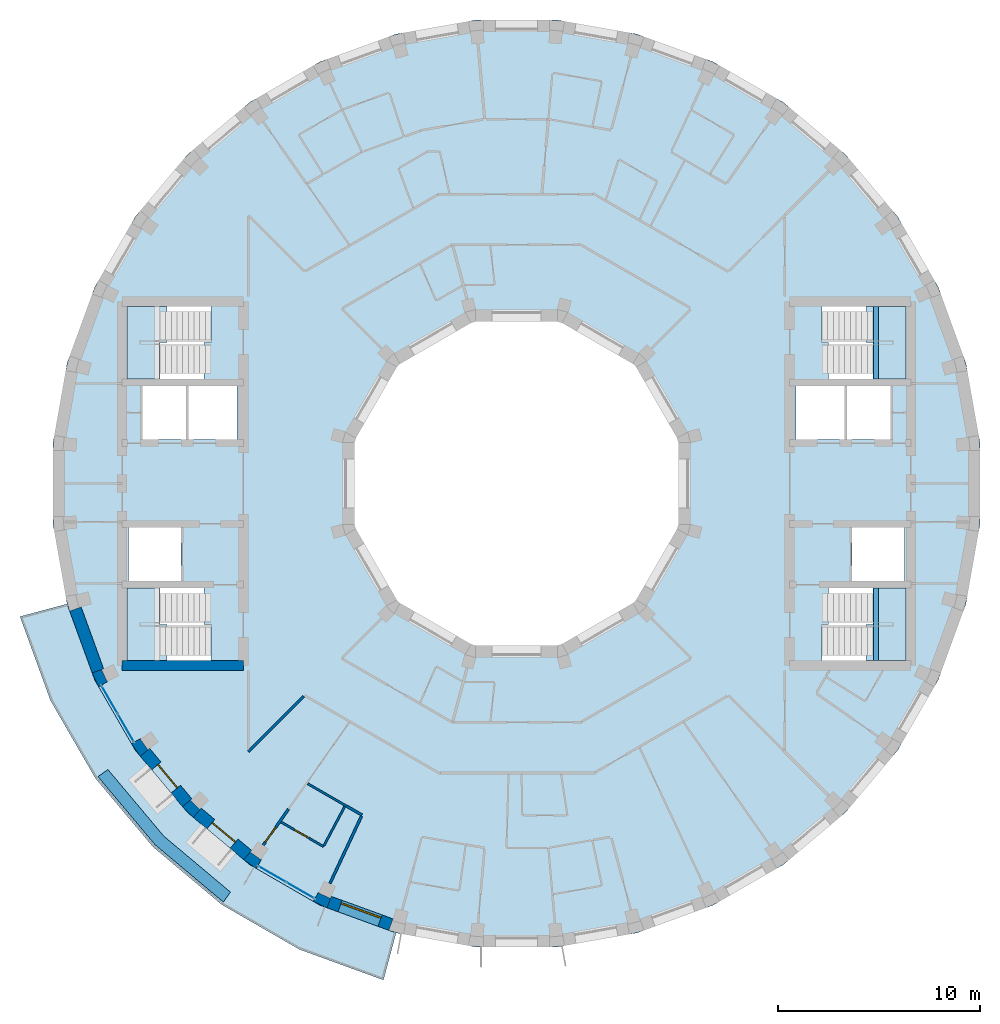
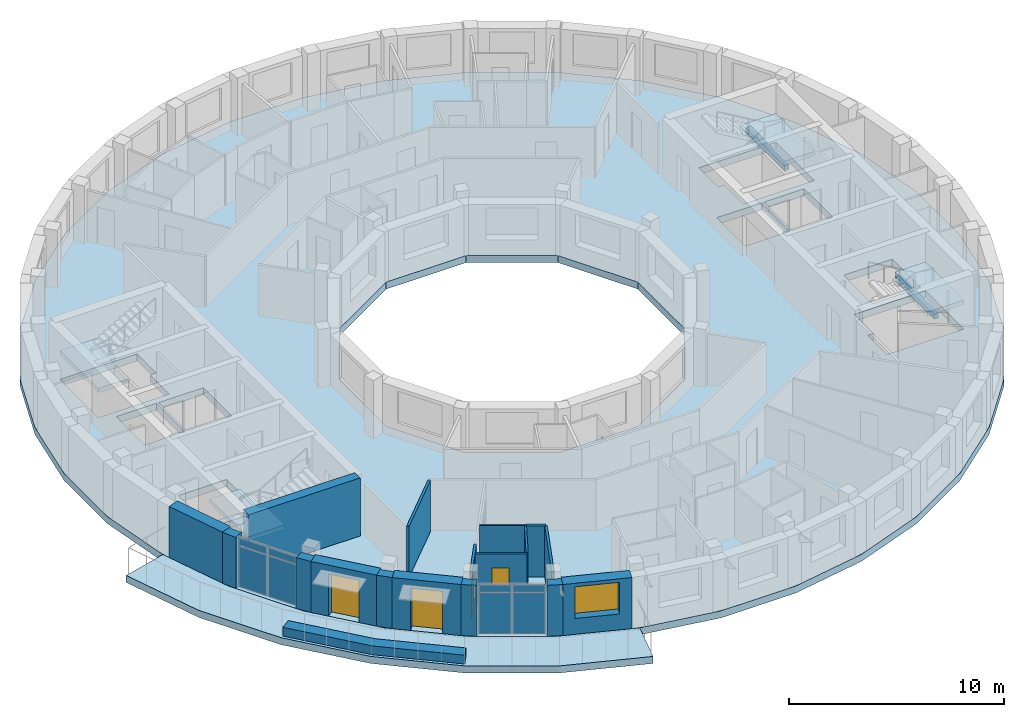
# One storey, part 3 of 12: 18 walls, 8 plates, 6 slabs, 4 doors, 2 beams, 1 window, 5 openings, 6 elements without a shape of their own.
"""IFC4 building model written with IfcOpenShell, lengths in metres."""

from ifc_helpers import new_model, si_unit, direction, frame, frame_2d, origin, origin_2d, place, context, subcontext, project, spatial, polyline, rectangle, outline, extrude, material, layer, layer_set, material_profile, profile_set, type_object, element, fill, aggregate, save


model = new_model("IFC4")

# Units and contexts
model_context = context("Model", 3, precision=1e-05, world=origin(), true_north=direction((0.0, 1.0)))
body_context = subcontext(model_context, "Body", "Model", "MODEL_VIEW")
ifc_project = project(units=[si_unit("LENGTHUNIT", "METRE"), si_unit("AREAUNIT", "SQUARE_METRE"), si_unit("VOLUMEUNIT", "CUBIC_METRE"), si_unit("PLANEANGLEUNIT", "RADIAN"), si_unit("MASSUNIT", "GRAM", prefix="KILO")], contexts=[model_context])

# Site, building, storey
site_placement = place(None, origin())
site = spatial("IfcSite", under=ifc_project, at=site_placement, CompositionType="ELEMENT")
building_placement = place(site_placement, origin())
building = spatial("IfcBuilding", under=site, at=building_placement, Name="Saqina Gate Tower", CompositionType="ELEMENT")
storey_placement = place(building_placement, frame((0.0, 0.0, 266.0)))
storey = spatial("IfcBuildingStorey", under=building, at=storey_placement, Name="L76", CompositionType="ELEMENT", Elevation=266.0)

# Beams
ifc_material_1 = material(Name="Concrete C40/50", Category="concrete")
ifc_material_profile = material_profile(ifc_material_1, rectangle(XDim=0.25, YDim=0.300048828125, at=origin_2d()), Name="STAIR LANDING BEAM")
ifc_profile_set = profile_set([ifc_material_profile], Name="Concrete C40/50")
beam_type = type_object("IfcBeamType", Name="STAIR LANDING BEAM", PredefinedType="BEAM", material=ifc_profile_set)
for number, where, z_axis, x_axis, name in (
    (1, (17.77001953125, 5.175048828125, 1.25), (0.0, 1.0, 0.0), (-1.0, 0.0, 0.0), "EXIT STAIR 1 LANDING BEAM"),
    (2, (17.77001953125, -8.75, 1.25), (0.0, 1.0, 0.0), (-1.0, 0.0, 0.0), "EXIT STAIR 2 LANDING BEAM"),
):
    element("IfcBeam", number, at=place(storey_placement, frame(where, z_axis=z_axis, x_axis=x_axis)), inside=storey, type_object=beam_type, Name=name, PredefinedType="BEAM", context=body_context, shape_type="SweptSolid", body=[
        extrude(rectangle(XDim=0.25, YDim=0.300048828125, at=origin_2d()), origin(), (0.0, 0.0, 1.0), 3.574951171875),
    ])

# Curtain wall, plates
ifc_material_2 = material(Name="Aluminium glazing", Category="aluminium")
ifc_layer_1 = layer(ifc_material_2, 0.159912109375)
ifc_layer_set_1 = layer_set([ifc_layer_1], Name="CWT-4")
curtain_wall_type = type_object("IfcCurtainWallType", Name="CWT-4", PredefinedType="NOTDEFINED", material=ifc_layer_set_1)
curtain_wall_1_placement = place(storey_placement, origin())
curtain_wall_1 = element("IfcCurtainWall", 3, at=curtain_wall_1_placement, inside=storey, type_object=curtain_wall_type, Name="Terrace lounge glazing facet 21", PredefinedType="NOTDEFINED")
ifc_material_3 = material(Name="Glass", Category="glass")
ifc_layer_2 = layer(ifc_material_3, 0.028076171875)
ifc_layer_set_2 = layer_set([ifc_layer_2], Name="CWT-4P")
plate_type = type_object("IfcPlateType", Name="CWT-4P", PredefinedType="CURTAIN_PANEL", material=ifc_layer_set_2)
plate_1_placement = place(storey_placement, frame((-20.11181640625, -10.690185546875, 0.06005859375), z_axis=(0.0, 0.0, 1.0), x_axis=(0.499982449212, -0.8660355365, 0.0)))
plate_1 = element("IfcPlate", 4, at=plate_1_placement, type_object=plate_type, Name="CW4-21 panel 1.1", PredefinedType="CURTAIN_PANEL", context=body_context, shape_type="SweptSolid", body=[
    extrude(rectangle(XDim=1.535888671875, YDim=0.028076171875, at=origin_2d()), origin(), (0.0, 0.0, 1.0), 2.31005859375),
])
plate_2_placement = place(storey_placement, frame((-20.11181640625, -10.690185546875, 2.43017578125), z_axis=(0.0, 0.0, 1.0), x_axis=(0.499982449212, -0.8660355365, 0.0)))
plate_2 = element("IfcPlate", 5, at=plate_2_placement, type_object=plate_type, Name="CW4-21 panel 1.2", PredefinedType="CURTAIN_PANEL", context=body_context, shape_type="SweptSolid", body=[
    extrude(rectangle(XDim=1.535888671875, YDim=0.028076171875, at=origin_2d()), origin(), (0.0, 0.0, 1.0), 0.409912109375),
])
plate_3_placement = place(storey_placement, frame((-19.31396484375, -12.072265625, 0.06005859375), z_axis=(0.0, 0.0, 1.0), x_axis=(0.499982449212, -0.8660355365, 0.0)))
plate_3 = element("IfcPlate", 6, at=plate_3_placement, type_object=plate_type, Name="CW4-21 panel 2.1", PredefinedType="CURTAIN_PANEL", context=body_context, shape_type="SweptSolid", body=[
    extrude(rectangle(XDim=1.535888671875, YDim=0.028076171875, at=origin_2d()), origin(), (0.0, 0.0, 1.0), 2.31005859375),
])
plate_4_placement = place(storey_placement, frame((-19.31396484375, -12.072265625, 2.43017578125), z_axis=(0.0, 0.0, 1.0), x_axis=(0.499982449212, -0.8660355365, 0.0)))
plate_4 = element("IfcPlate", 7, at=plate_4_placement, type_object=plate_type, Name="CW4-21 panel 2.2", PredefinedType="CURTAIN_PANEL", context=body_context, shape_type="SweptSolid", body=[
    extrude(rectangle(XDim=1.535888671875, YDim=0.028076171875, at=origin_2d()), origin(), (0.0, 0.0, 1.0), 0.409912109375),
])
aggregate(curtain_wall_1, [plate_1, plate_2, plate_3, plate_4])

curtain_wall_2_placement = place(storey_placement, origin())
curtain_wall_2 = element("IfcCurtainWall", 8, at=curtain_wall_2_placement, inside=storey, type_object=curtain_wall_type, Name="Terrace lounge glazing facet 24", PredefinedType="NOTDEFINED")
plate_5_placement = place(storey_placement, frame((-12.072265625, -19.31396484375, 0.06005859375), z_axis=(0.0, 0.0, 1.0), x_axis=(0.8660355365, -0.499982449212, 0.0)))
plate_5 = element("IfcPlate", 9, at=plate_5_placement, type_object=plate_type, Name="CW4-24 panel 1.1", PredefinedType="CURTAIN_PANEL", context=body_context, shape_type="SweptSolid", body=[
    extrude(rectangle(XDim=1.535888671875, YDim=0.028076171875, at=origin_2d()), origin(), (0.0, 0.0, 1.0), 2.31005859375),
])
plate_6_placement = place(storey_placement, frame((-12.072265625, -19.31396484375, 2.43017578125), z_axis=(0.0, 0.0, 1.0), x_axis=(0.8660355365, -0.499982449212, 0.0)))
plate_6 = element("IfcPlate", 10, at=plate_6_placement, type_object=plate_type, Name="CW4-24 panel 1.2", PredefinedType="CURTAIN_PANEL", context=body_context, shape_type="SweptSolid", body=[
    extrude(rectangle(XDim=1.535888671875, YDim=0.028076171875, at=origin_2d()), origin(), (0.0, 0.0, 1.0), 0.409912109375),
])
plate_7_placement = place(storey_placement, frame((-10.690185546875, -20.11181640625, 0.06005859375), z_axis=(0.0, 0.0, 1.0), x_axis=(0.8660355365, -0.499982449212, 0.0)))
plate_7 = element("IfcPlate", 11, at=plate_7_placement, type_object=plate_type, Name="CW4-24 panel 2.1", PredefinedType="CURTAIN_PANEL", context=body_context, shape_type="SweptSolid", body=[
    extrude(rectangle(XDim=1.535888671875, YDim=0.028076171875, at=origin_2d()), origin(), (0.0, 0.0, 1.0), 2.31005859375),
])
plate_8_placement = place(storey_placement, frame((-10.690185546875, -20.11181640625, 2.43017578125), z_axis=(0.0, 0.0, 1.0), x_axis=(0.8660355365, -0.499982449212, 0.0)))
plate_8 = element("IfcPlate", 12, at=plate_8_placement, type_object=plate_type, Name="CW4-24 panel 2.2", PredefinedType="CURTAIN_PANEL", context=body_context, shape_type="SweptSolid", body=[
    extrude(rectangle(XDim=1.535888671875, YDim=0.028076171875, at=origin_2d()), origin(), (0.0, 0.0, 1.0), 0.409912109375),
])
aggregate(curtain_wall_2, [plate_5, plate_6, plate_7, plate_8])

# Stair, slab
ifc_material_4 = material(Name="Concrete C40/50", Category="concrete")
stair_type = type_object("IfcStairType", Name="EXIT STAIR", PredefinedType="HALF_TURN_STAIR", material=ifc_material_4)
stair_1_placement = place(storey_placement, origin())
stair_1 = element("IfcStair", 13, at=stair_1_placement, inside=storey, type_object=stair_type, Name="EXIT STAIR 1", PredefinedType="HALF_TURN_STAIR")
ifc_material_5 = material(Name="Concrete C40/50", Category="concrete")
ifc_layer_3 = layer(ifc_material_5, 0.25)
ifc_layer_set_3 = layer_set([ifc_layer_3], Name="Concrete C40/50")
slab_type_1 = type_object("IfcSlabType", Name="EXIT STAIR LANDING", PredefinedType="LANDING", material=ifc_layer_set_3)
slab_1_placement = place(storey_placement, frame((0.0, 0.0, 1.39990234375)))
slab_1 = element("IfcSlab", 14, at=slab_1_placement, type_object=slab_type_1, Name="EXIT STAIR 1 LANDING 1", PredefinedType="LANDING", context=body_context, shape_type="SweptSolid", body=[
    extrude(outline(polyline([(19.25, 8.75), (19.25, 5.175048828125), (17.614990234375, 5.175048828125), (17.614990234375, 6.96240234375), (17.284423828125, 6.96240234375), (17.284423828125, 8.75), (17.614990234375, 8.75), (17.6201171875, 8.75), (19.25, 8.75)])), origin(), (0.0, 0.0, 1.0), 0.25),
])
aggregate(stair_1, [slab_1])

stair_2_placement = place(storey_placement, origin())
stair_2 = element("IfcStair", 15, at=stair_2_placement, inside=storey, type_object=stair_type, Name="EXIT STAIR 2", PredefinedType="HALF_TURN_STAIR")
slab_2_placement = place(storey_placement, frame((0.0, 0.0, 1.39990234375)))
slab_2 = element("IfcSlab", 16, at=slab_2_placement, type_object=slab_type_1, Name="EXIT STAIR 2 LANDING 1", PredefinedType="LANDING", context=body_context, shape_type="SweptSolid", body=[
    extrude(outline(polyline([(17.284423828125, -8.75), (17.284423828125, -6.96240234375), (17.614990234375, -6.96240234375), (17.614990234375, -5.175048828125), (19.25, -5.175048828125), (19.25, -8.75), (17.6201171875, -8.75), (17.614990234375, -8.75), (17.284423828125, -8.75)])), origin(), (0.0, 0.0, 1.0), 0.25),
])
aggregate(stair_2, [slab_2])

stair_3_placement = place(storey_placement, origin())
stair_3 = element("IfcStair", 17, at=stair_3_placement, inside=storey, type_object=stair_type, Name="EXIT STAIR 3", PredefinedType="HALF_TURN_STAIR")
slab_3_placement = place(storey_placement, frame((0.0, 0.0, 1.39990234375)))
slab_3 = element("IfcSlab", 18, at=slab_3_placement, type_object=slab_type_1, Name="EXIT STAIR 3 LANDING 1", PredefinedType="LANDING", context=body_context, shape_type="SweptSolid", body=[
    extrude(outline(polyline([(-17.614990234375, 5.175048828125), (-19.25, 5.175048828125), (-19.25, 8.75), (-17.6201171875, 8.75), (-17.614990234375, 8.75), (-17.284423828125, 8.75), (-17.284423828125, 6.96240234375), (-17.614990234375, 6.96240234375), (-17.614990234375, 5.175048828125)])), origin(), (0.0, 0.0, 1.0), 0.25),
])
aggregate(stair_3, [slab_3])

stair_4_placement = place(storey_placement, origin())
stair_4 = element("IfcStair", 19, at=stair_4_placement, inside=storey, type_object=stair_type, Name="EXIT STAIR 4", PredefinedType="HALF_TURN_STAIR")
slab_4_placement = place(storey_placement, frame((0.0, 0.0, 1.39990234375)))
slab_4 = element("IfcSlab", 20, at=slab_4_placement, type_object=slab_type_1, Name="EXIT STAIR 4 LANDING 1", PredefinedType="LANDING", context=body_context, shape_type="SweptSolid", body=[
    extrude(outline(polyline([(-17.284423828125, -6.96240234375), (-17.284423828125, -8.75), (-17.614990234375, -8.75), (-17.6201171875, -8.75), (-19.25, -8.75), (-19.25, -5.175048828125), (-17.614990234375, -5.175048828125), (-17.614990234375, -6.96240234375), (-17.284423828125, -6.96240234375)])), origin(), (0.0, 0.0, 1.0), 0.25),
])
aggregate(stair_4, [slab_4])

# Slabs
ifc_material_6 = material(Name="Concrete C40/50", Category="concrete")
ifc_layer_4 = layer(ifc_material_6, 0.39990234375)
ifc_layer_set_4 = layer_set([ifc_layer_4], Name="Concrete C40/50")
slab_type_2 = type_object("IfcSlabType", Name="STR-POST-TENSIONED FLAT PLATE FLOOR-400", PredefinedType="FLOOR", material=ifc_layer_set_4)
slab_5_placement = place(storey_placement, frame((0.0, 0.0, -0.39990234375)))
element("IfcSlab", 21, at=slab_5_placement, inside=storey, type_object=slab_type_2, Name="L76-SLB01", PredefinedType="FLOOR", context=body_context, shape_type="SweptSolid", body=[
    extrude(outline(polyline([(22.21630859375, -5.952880859375), (22.91259765625, -2.004638671875), (22.91259765625, 2.004638671875), (22.21630859375, 5.952880859375), (20.844970703125, 9.72021484375), (18.840576171875, 13.192138671875), (16.263427734375, 16.263427734375), (13.192138671875, 18.840576171875), (9.72021484375, 20.844970703125), (5.952880859375, 22.21630859375), (2.004638671875, 22.91259765625), (-2.004638671875, 22.91259765625), (-5.952880859375, 22.21630859375), (-9.72021484375, 20.844970703125), (-13.192138671875, 18.840576171875), (-16.263427734375, 16.263427734375), (-18.840576171875, 13.192138671875), (-20.844970703125, 9.72021484375), (-22.21630859375, 5.952880859375), (-22.91259765625, 2.004638671875), (-22.91259765625, -2.004638671875), (-22.21630859375, -5.952880859375), (-20.844970703125, -9.72021484375), (-18.840576171875, -13.192138671875), (-16.263427734375, -16.263427734375), (-13.192138671875, -18.840576171875), (-9.72021484375, -20.844970703125), (-5.952880859375, -22.21630859375), (-2.004638671875, -22.91259765625), (2.004638671875, -22.91259765625), (5.952880859375, -22.21630859375), (9.72021484375, -20.844970703125), (13.192138671875, -18.840576171875), (16.263427734375, -16.263427734375), (18.840576171875, -13.192138671875), (20.844970703125, -9.72021484375), (22.21630859375, -5.952880859375)]), holes=[polyline([(2.1435546875, 8.0), (5.8564453125, 5.8564453125), (8.0, 2.1435546875), (8.0, -2.1435546875), (5.8564453125, -5.8564453125), (2.1435546875, -8.0), (-2.1435546875, -8.0), (-5.8564453125, -5.8564453125), (-8.0, -2.1435546875), (-8.0, 2.1435546875), (-5.8564453125, 5.8564453125), (-2.1435546875, 8.0), (2.1435546875, 8.0)]), polyline([(-15.10498046875, -8.75), (-19.25, -8.75), (-19.25, -6.96240234375), (-19.25, -5.175048828125), (-15.435546875, -5.175048828125), (-15.435546875, -6.96240234375), (-15.10498046875, -6.96240234375), (-15.10498046875, -8.75)]), polyline([(-16.590087890625, -2.175048828125), (-16.590087890625, -4.824951171875), (-19.18994140625, -4.824951171875), (-19.18994140625, -2.175048828125), (-16.590087890625, -2.175048828125)]), polyline([(-16.340087890625, 4.824951171875), (-16.340087890625, 2.175048828125), (-18.5, 2.175048828125), (-18.5, 4.824951171875), (-16.340087890625, 4.824951171875)]), polyline([(-13.81005859375, 4.824951171875), (-13.81005859375, 2.175048828125), (-16.219970703125, 2.175048828125), (-16.219970703125, 4.824951171875), (-13.81005859375, 4.824951171875)]), polyline([(-19.25, 6.96240234375), (-19.25, 8.75), (-15.10498046875, 8.75), (-15.10498046875, 6.96240234375), (-15.435546875, 6.96240234375), (-15.435546875, 5.175048828125), (-19.25, 5.175048828125), (-19.25, 6.96240234375)]), polyline([(15.10498046875, -8.75), (15.10498046875, -6.96240234375), (15.435546875, -6.96240234375), (15.435546875, -5.175048828125), (19.25, -5.175048828125), (19.25, -6.96240234375), (19.25, -8.75), (15.10498046875, -8.75)]), polyline([(19.18994140625, -2.175048828125), (19.18994140625, -4.824951171875), (16.590087890625, -4.824951171875), (16.590087890625, -2.175048828125), (19.18994140625, -2.175048828125)]), polyline([(16.219970703125, 4.824951171875), (16.219970703125, 2.175048828125), (13.81005859375, 2.175048828125), (13.81005859375, 4.824951171875), (16.219970703125, 4.824951171875)]), polyline([(18.5, 4.824951171875), (18.5, 2.175048828125), (16.340087890625, 2.175048828125), (16.340087890625, 4.824951171875), (18.5, 4.824951171875)]), polyline([(15.435546875, 6.96240234375), (15.10498046875, 6.96240234375), (15.10498046875, 8.75), (19.25, 8.75), (19.25, 6.96240234375), (19.25, 5.175048828125), (15.435546875, 5.175048828125), (15.435546875, 6.96240234375)])]), origin(), (0.0, 0.0, 1.0), 0.39990234375),
])
ifc_material_7 = material(Name="Concrete C40/50", Category="concrete")
ifc_layer_5 = layer(ifc_material_7, 0.39990234375)
ifc_layer_set_5 = layer_set([ifc_layer_5], Name="Concrete C40/50")
slab_type_3 = type_object("IfcSlabType", Name="STR-POST-TENSIONED FLAT PLATE TERRACE-400", PredefinedType="FLOOR", material=ifc_layer_set_5)
slab_6_placement = place(storey_placement, frame((0.0, 0.0, -0.39990234375)))
element("IfcSlab", 22, at=slab_6_placement, inside=storey, type_object=slab_type_3, Name="L76-TRS01", PredefinedType="FLOOR", context=body_context, shape_type="SweptSolid", body=[
    extrude(outline(polyline([(-22.21630859375, -5.952880859375), (-20.844970703125, -9.72021484375), (-18.840576171875, -13.192138671875), (-16.263427734375, -16.263427734375), (-13.192138671875, -18.840576171875), (-9.72021484375, -20.844970703125), (-5.952880859375, -22.21630859375), (-6.576416015625, -24.54345703125), (-10.73828125, -23.028564453125), (-14.57421875, -20.81396484375), (-17.967041015625, -17.967041015625), (-20.81396484375, -14.57421875), (-23.028564453125, -10.73828125), (-24.54345703125, -6.576416015625), (-22.21630859375, -5.952880859375)])), origin(), (0.0, 0.0, 1.0), 0.39990234375),
])

# Walls
ifc_material_8 = material(Name="Brick masonry (buff)", Category="masonry")
wall_type_1 = type_object("IfcWallType", Name="BRICK PIER COPING BUFF", PredefinedType="SOLIDWALL", material=ifc_material_8)
wall_1_placement = place(storey_placement, origin())
element("IfcWall", 23, at=wall_1_placement, inside=storey, type_object=wall_type_1, Name="Pier cap L76 column 21", PredefinedType="SOLIDWALL", context=body_context, shape_type="SweptSolid", body=[
    extrude(outline(polyline([(-20.974609375, -9.3642578125), (-20.65576171875, -10.048095703125), (-20.135986328125, -9.748291015625), (-20.23193359375, -9.79296875), (-20.506591796875, -9.203857421875), (-20.410888671875, -9.1591796875), (-20.974609375, -9.3642578125)])), origin(), (0.0, 0.0, 1.0), 2.89990234375),
])
wall_2_placement = place(storey_placement, origin())
element("IfcWall", 24, at=wall_2_placement, inside=storey, type_object=wall_type_1, Name="Pier cap L76 column 22", PredefinedType="SOLIDWALL", context=body_context, shape_type="SweptSolid", body=[
    extrude(outline(polyline([(-19.02978515625, -12.8642578125), (-18.59716796875, -13.482421875), (-18.137451171875, -13.0966796875), (-18.22412109375, -13.157470703125), (-18.596923828125, -12.625), (-18.51025390625, -12.564208984375), (-19.02978515625, -12.8642578125)])), origin(), (0.0, 0.0, 1.0), 2.89990234375),
])
wall_3_placement = place(storey_placement, origin())
element("IfcWall", 25, at=wall_3_placement, inside=storey, type_object=wall_type_1, Name="Pier cap L76 column 23", PredefinedType="SOLIDWALL", context=body_context, shape_type="SweptSolid", body=[
    extrude(outline(polyline([(-15.973388671875, -16.5068359375), (-15.587646484375, -16.04736328125), (-15.662353515625, -16.1220703125), (-16.1220703125, -15.662353515625), (-16.04736328125, -15.587646484375), (-16.5068359375, -15.973388671875), (-15.973388671875, -16.5068359375)])), origin(), (0.0, 0.0, 1.0), 2.89990234375),
])
wall_4_placement = place(storey_placement, origin())
element("IfcWall", 26, at=wall_4_placement, inside=storey, type_object=wall_type_1, Name="Pier cap L76 column 24", PredefinedType="SOLIDWALL", context=body_context, shape_type="SweptSolid", body=[
    extrude(outline(polyline([(-12.8642578125, -19.02978515625), (-12.564208984375, -18.51025390625), (-12.625, -18.596923828125), (-13.157470703125, -18.22412109375), (-13.0966796875, -18.137451171875), (-13.482421875, -18.59716796875), (-12.8642578125, -19.02978515625)])), origin(), (0.0, 0.0, 1.0), 2.89990234375),
])
wall_5_placement = place(storey_placement, origin())
element("IfcWall", 27, at=wall_5_placement, inside=storey, type_object=wall_type_1, Name="Pier cap L76 column 25", PredefinedType="SOLIDWALL", context=body_context, shape_type="SweptSolid", body=[
    extrude(outline(polyline([(-10.048095703125, -20.65576171875), (-9.3642578125, -20.974609375), (-9.1591796875, -20.410888671875), (-9.203857421875, -20.506591796875), (-9.79296875, -20.23193359375), (-9.748291015625, -20.135986328125), (-10.048095703125, -20.65576171875)])), origin(), (0.0, 0.0, 1.0), 2.89990234375),
])

# Wall, opening, door
ifc_material_9 = material(Name="Brick masonry (buff)", Category="masonry")
ifc_layer_6 = layer(ifc_material_9, 0.60009765625)
ifc_layer_set_6 = layer_set([ifc_layer_6], Name="FW-BRICK-BUFF")
wall_type_2 = type_object("IfcWallType", Name="FW-BRICK-BUFF", PredefinedType="SOLIDWALL", material=ifc_layer_set_6)
wall_6_placement = place(storey_placement, frame((-18.3671875, -13.28955078125, 0.0), z_axis=(0.0, 0.0, 1.0), x_axis=(0.64277291405, -0.766056773982, 0.0)))
wall_6 = element("IfcWall", 28, at=wall_6_placement, inside=storey, type_object=wall_type_2, Name="Facade wall L76 facet 22", PredefinedType="SOLIDWALL", context=body_context, shape_type="SweptSolid", body=[
    extrude(rectangle(XDim=3.251708984375, YDim=0.60009765625, at=frame_2d((1.6259765625, 0.0))), origin(), (0.0, 0.0, 1.0), 2.89990234375),
])
opening_1_placement = place(wall_6_placement, frame((0.875732421875, 0.0, 0.0)))
opening_1 = element("IfcOpeningElement", 29, at=opening_1_placement, cuts=wall_6, Name="Opening G22-D80", PredefinedType="OPENING", context=body_context, shape_type="SweptSolid", body=[
    extrude(rectangle(XDim=1.5, YDim=2.39990234375, at=frame_2d((0.75, 1.199951171875))), frame((0.0, 0.31201171875, 0.0), z_axis=(0.0, -1.0, 0.0), x_axis=(1.0, 0.0, 0.0)), (0.0, 0.0, 1.0), 0.6240234375),
])
ifc_material_10 = material(Name="Aluminium glazing", Category="aluminium")
door_type_1 = type_object("IfcDoorType", Name="GD-D", OperationType="DOUBLE_DOOR_SINGLE_SWING", PredefinedType="DOOR", material=ifc_material_10)
door_1_placement = place(opening_1_placement, origin())
door_1 = element("IfcDoor", 30, at=door_1_placement, inside=storey, type_object=door_type_1, Name="Terrace door L76 facet 22", OperationType="DOUBLE_DOOR_SINGLE_SWING", OverallHeight=2.39990234375, OverallWidth=1.5, PredefinedType="DOOR", context=body_context, shape_type="SweptSolid", body=[
    extrude(rectangle(XDim=1.5, YDim=2.39990234375, at=frame_2d((0.75, 1.199951171875))), frame((0.0, 0.125, 0.0), z_axis=(0.0, -1.0, 0.0), x_axis=(1.0, 0.0, 0.0)), (0.0, 0.0, 1.0), 0.050048828125),
])
fill(opening_1, door_1)

wall_7_placement = place(storey_placement, frame((-15.780517578125, -16.277099609375, 0.0), z_axis=(0.0, 0.0, 1.0), x_axis=(0.766056773982, -0.64277291405, 0.0)))
wall_7 = element("IfcWall", 31, at=wall_7_placement, inside=storey, type_object=wall_type_2, Name="Facade wall L76 facet 23", PredefinedType="SOLIDWALL", context=body_context, shape_type="SweptSolid", body=[
    extrude(rectangle(XDim=3.251708984375, YDim=0.60009765625, at=frame_2d((1.6259765625, 0.0))), origin(), (0.0, 0.0, 1.0), 2.89990234375),
])
opening_2_placement = place(wall_7_placement, frame((0.875732421875, 0.0, 0.0)))
opening_2 = element("IfcOpeningElement", 32, at=opening_2_placement, cuts=wall_7, Name="Opening G22-D81", PredefinedType="OPENING", context=body_context, shape_type="SweptSolid", body=[
    extrude(rectangle(XDim=1.5, YDim=2.39990234375, at=frame_2d((0.75, 1.199951171875))), frame((0.0, 0.31201171875, 0.0), z_axis=(0.0, -1.0, 0.0), x_axis=(1.0, 0.0, 0.0)), (0.0, 0.0, 1.0), 0.6240234375),
])
door_2_placement = place(opening_2_placement, origin())
door_2 = element("IfcDoor", 33, at=door_2_placement, inside=storey, type_object=door_type_1, Name="Terrace door L76 facet 23", OperationType="DOUBLE_DOOR_SINGLE_SWING", OverallHeight=2.39990234375, OverallWidth=1.5, PredefinedType="DOOR", context=body_context, shape_type="SweptSolid", body=[
    extrude(rectangle(XDim=1.5, YDim=2.39990234375, at=frame_2d((0.75, 1.199951171875))), frame((0.0, 0.125, 0.0), z_axis=(0.0, -1.0, 0.0), x_axis=(1.0, 0.0, 0.0)), (0.0, 0.0, 1.0), 0.050048828125),
])
fill(opening_2, door_2)

# Wall, opening, window
wall_8_placement = place(storey_placement, frame((-9.26171875, -20.692626953125, 0.0), z_axis=(0.0, 0.0, 1.0), x_axis=(0.939679383794, -0.342056509473, 0.0)))
wall_8 = element("IfcWall", 34, at=wall_8_placement, inside=storey, type_object=wall_type_2, Name="Facade wall L76 facet 25", PredefinedType="SOLIDWALL", context=body_context, shape_type="SweptSolid", body=[
    extrude(rectangle(XDim=3.251708984375, YDim=0.60009765625, at=frame_2d((1.6259765625, 0.0))), origin(), (0.0, 0.0, 1.0), 2.89990234375),
])
opening_3_placement = place(wall_8_placement, frame((0.57568359375, 0.0, 0.89990234375)))
opening_3 = element("IfcOpeningElement", 35, at=opening_3_placement, cuts=wall_8, Name="Opening G22-W14", PredefinedType="OPENING", context=body_context, shape_type="SweptSolid", body=[
    extrude(rectangle(XDim=2.10009765625, YDim=1.800048828125, at=frame_2d((1.050048828125, 0.89990234375))), frame((0.0, 0.31201171875, 0.0), z_axis=(0.0, -1.0, 0.0), x_axis=(1.0, 0.0, 0.0)), (0.0, 0.0, 1.0), 0.6240234375),
])
ifc_material_11 = material(Name="Aluminium glazing", Category="aluminium")
window_type = type_object("IfcWindowType", Name="WN-D", PartitioningType="SINGLE_PANEL", PredefinedType="WINDOW", material=ifc_material_11)
window_placement = place(opening_3_placement, origin())
window = element("IfcWindow", 36, at=window_placement, inside=storey, type_object=window_type, Name="Window L76 facet 25", OverallHeight=1.800048828125, OverallWidth=2.10009765625, PartitioningType="SINGLE_PANEL", PredefinedType="WINDOW", context=body_context, shape_type="SweptSolid", body=[
    extrude(rectangle(XDim=2.10009765625, YDim=1.800048828125, at=frame_2d((1.050048828125, 0.89990234375))), frame((0.0, 0.179931640625, 0.0), z_axis=(0.0, -1.0, 0.0), x_axis=(1.0, 0.0, 0.0)), (0.0, 0.0, 1.0), 0.06005859375),
])
fill(opening_3, window)

# Wall
ifc_material_12 = material(Name="Glazed ceramic tile (white)", Category="ceramic")
ifc_layer_7 = layer(ifc_material_12, 0.60009765625)
ifc_layer_set_7 = layer_set([ifc_layer_7], Name="FW-TILE-WH")
wall_type_3 = type_object("IfcWallType", Name="FW-TILE-WH", PredefinedType="SOLIDWALL", material=ifc_layer_set_7)
wall_9_placement = place(storey_placement, frame((-21.804931640625, -6.2060546875, 0.0), z_axis=(0.0, 0.0, 1.0), x_axis=(0.342056509473, -0.939679383794, 0.0)))
element("IfcWall", 37, at=wall_9_placement, inside=storey, type_object=wall_type_3, Name="Facade wall L76 facet 20", PredefinedType="SOLIDWALL", context=body_context, shape_type="SweptSolid", body=[
    extrude(rectangle(XDim=3.251708984375, YDim=0.60009765625, at=frame_2d((1.6259765625, 0.0))), origin(), (0.0, 0.0, 1.0), 2.89990234375),
])

# Wall, opening, door
ifc_material_13 = material(Name="Gypsum board on steel studs, 100 mm", Category="steel")
ifc_layer_8 = layer(ifc_material_13, 0.10009765625)
ifc_layer_set_8 = layer_set([ifc_layer_8], Name="PARTITION 100")
wall_type_4 = type_object("IfcWallType", Name="PARTITION 100", PredefinedType="PARTITIONING", material=ifc_layer_set_8)
wall_10_placement = place(storey_placement, frame((-11.638916015625, -16.7353515625, 0.0), z_axis=(0.0, 0.0, 1.0), x_axis=(0.866093196455, -0.499882561262, 0.0)))
wall_10 = element("IfcWall", 38, at=wall_10_placement, inside=storey, type_object=wall_type_4, Name="PARTITION PW3-16", PredefinedType="PARTITIONING", context=body_context, shape_type="SweptSolid", body=[
    extrude(rectangle(XDim=2.419921875, YDim=0.10009765625, at=frame_2d((1.2099609375, 0.0))), origin(), (0.0, 0.0, 1.0), 2.89990234375),
])
opening_4_placement = place(wall_10_placement, frame((0.777587890625, 0.0, 0.0)))
opening_4 = element("IfcOpeningElement", 39, at=opening_4_placement, cuts=wall_10, Name="Opening G22-D28", PredefinedType="OPENING", context=body_context, shape_type="SweptSolid", body=[
    extrude(rectangle(XDim=0.800048828125, YDim=2.10009765625, at=frame_2d((0.39990234375, 1.050048828125))), frame((0.0, 0.06201171875, 0.0), z_axis=(0.0, -1.0, 0.0), x_axis=(1.0, 0.0, 0.0)), (0.0, 0.0, 1.0), 0.1240234375),
])
ifc_material_14 = material(Name="Timber door leaf, 800 mm", Category="wood")
door_type_2 = type_object("IfcDoorType", Name="DOOR 800 TIMBER", OperationType="SINGLE_SWING_LEFT", PredefinedType="DOOR", material=ifc_material_14)
door_3_placement = place(opening_4_placement, frame((0.800048828125, 0.0, 0.0), z_axis=(0.0, 0.0, 1.0), x_axis=(-1.0, 0.0, 0.0)))
door_3 = element("IfcDoor", 40, at=door_3_placement, inside=storey, type_object=door_type_2, Name="DOOR G22-D28", OperationType="SINGLE_SWING_RIGHT", OverallHeight=2.10009765625, OverallWidth=0.800048828125, PredefinedType="DOOR", context=body_context, shape_type="SweptSolid", body=[
    extrude(rectangle(XDim=0.800048828125, YDim=2.10009765625, at=frame_2d((0.39990234375, 1.050048828125))), frame((0.0, 0.02490234375, 0.0), z_axis=(0.0, -1.0, 0.0), x_axis=(1.0, 0.0, 0.0)), (0.0, 0.0, 1.0), 0.050048828125),
])
fill(opening_4, door_3)

# Walls
wall_11_placement = place(storey_placement, frame((-10.32421875, -14.837890625, 0.0), z_axis=(0.0, 0.0, 1.0), x_axis=(0.866035918664, -0.499981787252, 0.0)))
element("IfcWall", 41, at=wall_11_placement, inside=storey, type_object=wall_type_4, Name="PARTITION PW3-17", PredefinedType="PARTITIONING", context=body_context, shape_type="SweptSolid", body=[
    extrude(rectangle(XDim=2.2001953125, YDim=0.10009765625, at=frame_2d((1.10009765625, 0.0))), origin(), (0.0, 0.0, 1.0), 2.89990234375),
])
wall_12_placement = place(storey_placement, frame((-9.51953125, -17.90087890625, 0.0), z_axis=(0.0, 0.0, 1.0), x_axis=(0.469644416179, 0.882855663374, 0.0)))
element("IfcWall", 42, at=wall_12_placement, inside=storey, type_object=wall_type_4, Name="PARTITION PW3-43", PredefinedType="PARTITIONING", context=body_context, shape_type="SweptSolid", body=[
    extrude(rectangle(XDim=2.18896484375, YDim=0.10009765625, at=frame_2d((1.094482421875, 0.0))), origin(), (0.0, 0.0, 1.0), 2.89990234375),
])
ifc_material_15 = material(Name="Gypsum board on steel studs, 125 mm, fire rated", Category="steel")
ifc_layer_9 = layer(ifc_material_15, 0.125)
ifc_layer_set_9 = layer_set([ifc_layer_9], Name="PARTITION EI 30 125")
wall_type_5 = type_object("IfcWallType", Name="PARTITION EI 30 125", PredefinedType="PARTITIONING", material=ifc_layer_set_9)
wall_13_placement = place(storey_placement, frame((-8.418701171875, -15.93798828125, 0.0), z_axis=(0.0, 0.0, 1.0), x_axis=(0.866053945006, -0.499950561895, 0.0)))
element("IfcWall", 43, at=wall_13_placement, inside=storey, type_object=wall_type_5, Name="PARTITION PW1-10", PredefinedType="PARTITIONING", context=body_context, shape_type="SweptSolid", body=[
    extrude(rectangle(XDim=0.8955078125, YDim=0.125, at=frame_2d((0.44775390625, 0.0))), origin(), (0.0, 0.0, 1.0), 2.89990234375),
])
wall_14_placement = place(storey_placement, frame((-13.25, -13.25, 0.0), z_axis=(0.0, 0.0, 1.0), x_axis=(0.707106781187, 0.707106781187, 0.0)))
element("IfcWall", 44, at=wall_14_placement, inside=storey, type_object=wall_type_5, Name="PARTITION PW1-30", PredefinedType="PARTITIONING", context=body_context, shape_type="SweptSolid", body=[
    extrude(rectangle(XDim=3.8603515625, YDim=0.125, at=frame_2d((1.93017578125, 0.0))), origin(), (0.0, 0.0, 1.0), 2.89990234375),
])

# Wall, opening, door
wall_15_placement = place(storey_placement, frame((-12.512939453125, -17.86962890625, 0.0), z_axis=(0.0, 0.0, 1.0), x_axis=(0.573296063173, 0.819348292212, 0.0)))
wall_15 = element("IfcWall", 45, at=wall_15_placement, inside=storey, type_object=wall_type_5, Name="PARTITION PW1-34", PredefinedType="PARTITIONING", context=body_context, shape_type="SweptSolid", body=[
    extrude(rectangle(XDim=2.16796875, YDim=0.125, at=frame_2d((1.083984375, 0.0))), origin(), (0.0, 0.0, 1.0), 2.89990234375),
])
opening_5_placement = place(wall_15_placement, frame((0.1708984375, 0.0, 0.0)))
opening_5 = element("IfcOpeningElement", 46, at=opening_5_placement, cuts=wall_15, Name="Opening G22-D27", PredefinedType="OPENING", context=body_context, shape_type="SweptSolid", body=[
    extrude(rectangle(XDim=0.89990234375, YDim=2.10009765625, at=frame_2d((0.449951171875, 1.050048828125))), frame((0.0, 0.074462890625, 0.0), z_axis=(0.0, -1.0, 0.0), x_axis=(1.0, 0.0, 0.0)), (0.0, 0.0, 1.0), 0.14892578125),
])
ifc_material_16 = material(Name="Fire door leaf EI 30, 900 mm")
door_type_3 = type_object("IfcDoorType", Name="DOOR 900 EI 30", OperationType="SINGLE_SWING_LEFT", PredefinedType="DOOR", material=ifc_material_16)
door_4_placement = place(opening_5_placement, origin())
door_4 = element("IfcDoor", 47, at=door_4_placement, inside=storey, type_object=door_type_3, Name="DOOR G22-D27", OperationType="SINGLE_SWING_LEFT", OverallHeight=2.10009765625, OverallWidth=0.89990234375, PredefinedType="DOOR", context=body_context, shape_type="SweptSolid", body=[
    extrude(rectangle(XDim=0.89990234375, YDim=2.10009765625, at=frame_2d((0.449951171875, 1.050048828125))), frame((0.0, 0.02490234375, 0.0), z_axis=(0.0, -1.0, 0.0), x_axis=(1.0, 0.0, 0.0)), (0.0, 0.0, 1.0), 0.050048828125),
])
fill(opening_5, door_4)

# Walls
wall_16_placement = place(storey_placement, frame((-9.22021484375, -19.770751953125, 0.0), z_axis=(0.0, 0.0, 1.0), x_axis=(0.4238971674, 0.90571032426, 0.0)))
element("IfcWall", 48, at=wall_16_placement, inside=storey, type_object=wall_type_5, Name="PARTITION PW1-37", PredefinedType="PARTITIONING", context=body_context, shape_type="SweptSolid", body=[
    extrude(rectangle(XDim=3.671630859375, YDim=0.125, at=frame_2d((1.8359375, 0.0))), origin(), (0.0, 0.0, 1.0), 2.89990234375),
])
ifc_material_17 = material(Name="Brick masonry (red)", Category="masonry")
ifc_layer_10 = layer(ifc_material_17, 0.60009765625)
ifc_layer_set_10 = layer_set([ifc_layer_10], Name="PL-PLANTER")
wall_type_6 = type_object("IfcWallType", Name="PL-PLANTER", PredefinedType="PARAPET", material=ifc_layer_set_10)
wall_17_placement = place(storey_placement, origin())
element("IfcWall", 49, at=wall_17_placement, inside=storey, type_object=wall_type_6, Name="Planter L76", PredefinedType="PARAPET", context=body_context, shape_type="SweptSolid", body=[
    extrude(outline(polyline([(-20.690673828125, -14.48779296875), (-17.860595703125, -17.860595703125), (-14.48779296875, -20.690673828125), (-14.142333984375, -20.197265625), (-17.4345703125, -17.4345703125), (-20.197265625, -14.142333984375), (-20.690673828125, -14.48779296875)])), origin(), (0.0, 0.0, 1.0), 0.5),
])
ifc_material_18 = material(Name="Concrete C60/75", Category="concrete")
ifc_layer_11 = layer(ifc_material_18, 0.5)
ifc_layer_set_11 = layer_set([ifc_layer_11], Name="Concrete C60/75")
wall_type_7 = type_object("IfcWallType", Name="STR-CORE WALL-D-O", PredefinedType="SHEAR", material=ifc_layer_set_11)
wall_18_placement = place(storey_placement, frame((-13.5, -9.0, 0.0), z_axis=(0.0, 0.0, 1.0), x_axis=(-1.0, 0.0, 0.0)))
element("IfcWall", 50, at=wall_18_placement, inside=storey, type_object=wall_type_7, Name="CORE WALL L76 W-SE", PredefinedType="SHEAR", context=body_context, shape_type="SweptSolid", body=[
    extrude(rectangle(XDim=6.0, YDim=0.5, at=frame_2d((3.0, 0.0))), origin(), (0.0, 0.0, 1.0), 3.300048828125),
])

save(model, "model.ifc")
